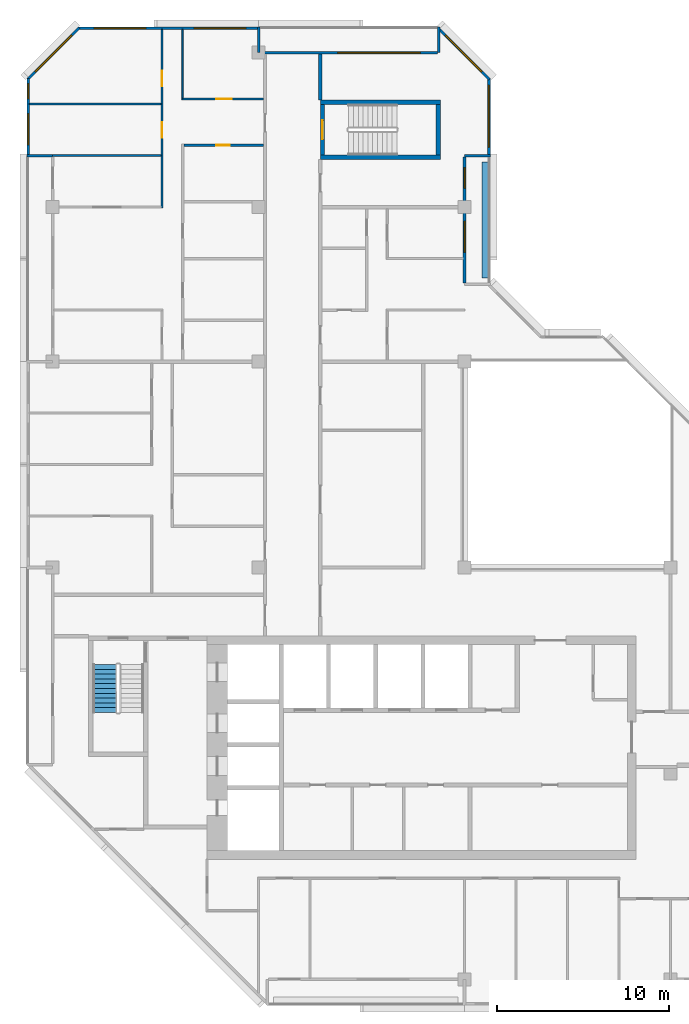
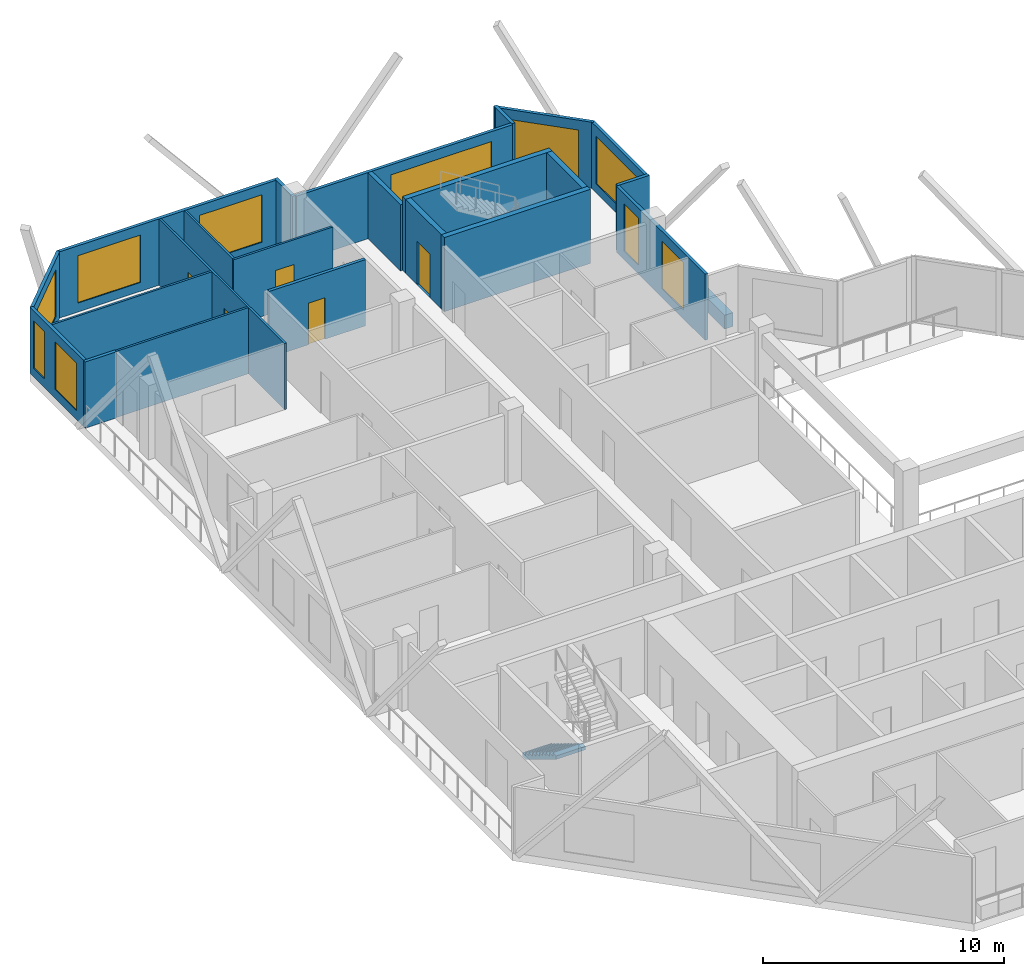
# One storey, part 9 of 12: 23 walls, 10 windows, 5 doors, 1 stair flight, 15 openings, 1 element without a shape of its own.
"""IFC4 building model written with IfcOpenShell, lengths in metres."""

from ifc_helpers import new_model, si_unit, direction, frame, frame_2d, origin, place, context, subcontext, project, spatial, polyline, rectangle, outline, extrude, material, layer, layer_set, type_object, element, fill, aggregate, save


model = new_model("IFC4")

# Units and contexts
model_context = context("Model", 3, precision=1e-05, world=origin(), true_north=direction((0.0, 1.0)))
body_context = subcontext(model_context, "Body", "Model", "MODEL_VIEW")
ifc_project = project(units=[si_unit("LENGTHUNIT", "METRE"), si_unit("AREAUNIT", "SQUARE_METRE"), si_unit("VOLUMEUNIT", "CUBIC_METRE"), si_unit("PLANEANGLEUNIT", "RADIAN"), si_unit("MASSUNIT", "GRAM", prefix="KILO")], contexts=[model_context])

# Site, building, storey
site_placement = place(None, origin())
site = spatial("IfcSite", under=ifc_project, at=site_placement, CompositionType="ELEMENT")
building_placement = place(site_placement, origin())
building = spatial("IfcBuilding", under=site, at=building_placement, Name="Chenar Terraces", CompositionType="ELEMENT")
storey_placement = place(building_placement, frame((0.0, 0.0, 361.39990234375)))
storey = spatial("IfcBuildingStorey", under=building, at=storey_placement, Name="L84", CompositionType="ELEMENT", Elevation=361.39990234375)

# Walls
ifc_material_1 = material(Name="Concrete C50/60", Category="concrete")
ifc_layer_1 = layer(ifc_material_1, 0.25)
ifc_layer_set_1 = layer_set([ifc_layer_1], Name="Concrete C50/60")
wall_type_1 = type_object("IfcWallType", Name="Core wall 250 Concrete C50/60", PredefinedType="SHEAR", material=ifc_layer_set_1)
for number, where, z_axis, x_axis, name in (
    (1, (15.60009765625, 47.89990234375, 0.0), (0.0, 0.0, 1.0), (1.0, 0.0, 0.0), "Core wall ST4_S L84"),
    (2, (15.60009765625, 51.10009765625, 0.0), (0.0, 0.0, 1.0), (1.0, 0.0, 0.0), "Core wall ST4_N L84"),
):
    element("IfcWall", number, at=place(storey_placement, frame(where, z_axis=z_axis, x_axis=x_axis)), inside=storey, type_object=wall_type_1, Name=name, PredefinedType="SHEAR", context=body_context, shape_type="SweptSolid", body=[
        extrude(rectangle(XDim=7.0, YDim=0.25, at=frame_2d((3.5, 0.0))), origin(), (0.0, 0.0, 1.0), 3.75),
    ])

# Wall, opening, door
wall_1_placement = place(storey_placement, frame((15.72509765625, 48.02490234375, 0.0), z_axis=(0.0, 0.0, 1.0), x_axis=(0.0, 1.0, 0.0)))
wall_1 = element("IfcWall", 3, at=wall_1_placement, inside=storey, type_object=wall_type_1, Name="Core wall ST4_W L84", PredefinedType="SHEAR", context=body_context, shape_type="SweptSolid", body=[
    extrude(rectangle(XDim=2.9501953125, YDim=0.25, at=frame_2d((1.47509765625, 0.0))), origin(), (0.0, 0.0, 1.0), 3.75),
])
opening_1_placement = place(wall_1_placement, frame((0.925048828125, 0.0, 0.0)))
opening_1 = element("IfcOpeningElement", 4, at=opening_1_placement, cuts=wall_1, Name="Opening DL84-C9", PredefinedType="OPENING", context=body_context, shape_type="SweptSolid", body=[
    extrude(rectangle(XDim=1.10009765625, YDim=2.199951171875, at=frame_2d((0.550048828125, 1.10009765625))), frame((0.0, 0.135009765625, 0.0), z_axis=(0.0, -1.0, 0.0), x_axis=(1.0, 0.0, 0.0)), (0.0, 0.0, 1.0), 0.27001953125),
])
ifc_material_2 = material(Name="Steel-framed fire-resisting door leaf", Category="steel")
door_type_1 = type_object("IfcDoorType", Name="Stair fire door FD60 1100 x 2200", OperationType="SINGLE_SWING_LEFT", PredefinedType="DOOR", material=ifc_material_2)
door_1_placement = place(opening_1_placement, frame((1.10009765625, 0.0, 0.0), z_axis=(0.0, 0.0, 1.0), x_axis=(-1.0, 0.0, 0.0)))
door_1 = element("IfcDoor", 5, at=door_1_placement, inside=storey, type_object=door_type_1, Name="Stair door DL84-C9", OperationType="SINGLE_SWING_RIGHT", OverallHeight=2.199951171875, OverallWidth=1.10009765625, PredefinedType="DOOR", context=body_context, shape_type="SweptSolid", body=[
    extrude(rectangle(XDim=1.10009765625, YDim=2.199951171875, at=frame_2d((0.550048828125, 1.10009765625))), frame((0.0, 0.02490234375, 0.0), z_axis=(0.0, -1.0, 0.0), x_axis=(1.0, 0.0, 0.0)), (0.0, 0.0, 1.0), 0.050048828125),
])
fill(opening_1, door_1)

# Walls
wall_2_placement = place(storey_placement, frame((22.47509765625, 48.02490234375, 0.0), z_axis=(0.0, 0.0, 1.0), x_axis=(0.0, 1.0, 0.0)))
element("IfcWall", 6, at=wall_2_placement, inside=storey, type_object=wall_type_1, Name="Core wall ST4_E L84", PredefinedType="SHEAR", context=body_context, shape_type="SweptSolid", body=[
    extrude(rectangle(XDim=2.9501953125, YDim=0.25, at=frame_2d((1.47509765625, 0.0))), origin(), (0.0, 0.0, 1.0), 3.75),
])
ifc_material_3 = material(Name="Gypsum board on steel studs with fire boards", Category="steel")
ifc_layer_2 = layer(ifc_material_3, 0.199951171875)
ifc_layer_set_2 = layer_set([ifc_layer_2], Name="Gypsum board on steel studs with fire boards")
wall_type_2 = type_object("IfcWallType", Name="Corridor wall 200", PredefinedType="PARTITIONING", material=ifc_layer_set_2)
wall_3_placement = place(storey_placement, frame((15.60009765625, 51.22509765625, 0.0), z_axis=(0.0, 0.0, 1.0), x_axis=(0.0, 1.0, 0.0)))
element("IfcWall", 7, at=wall_3_placement, inside=storey, type_object=wall_type_2, Name="Partition L84-033", PredefinedType="PARTITIONING", context=body_context, shape_type="SweptSolid", body=[
    extrude(rectangle(XDim=2.700927734375, YDim=0.199951171875, at=frame_2d((1.3505859375, 0.0))), origin(), (0.0, 0.0, 1.0), 3.35009765625),
])

# Wall, opening, window
ifc_material_4 = material(Name="Aluminium framed glazing", Category="aluminium")
ifc_layer_3 = layer(ifc_material_4, 0.14990234375)
ifc_layer_set_3 = layer_set([ifc_layer_3], Name="Aluminium framed glazing")
wall_type_3 = type_object("IfcWallType", Name="Glazed flush facade wall 150", PredefinedType="SOLIDWALL", material=ifc_layer_set_3)
wall_4_placement = place(storey_placement, frame((25.425048828125, 48.074951171875, 0.0), z_axis=(0.0, 0.0, 1.0), x_axis=(0.0, 1.0, 0.0)))
wall_4 = element("IfcWall", 8, at=wall_4_placement, inside=storey, type_object=wall_type_3, Name="Glazed flush facade wall", PredefinedType="SOLIDWALL", context=body_context, shape_type="SweptSolid", body=[
    extrude(rectangle(XDim=4.425048828125, YDim=0.14990234375, at=frame_2d((2.21240234375, 0.0))), origin(), (0.0, 0.0, 1.0), 3.35009765625),
])
opening_2_placement = place(wall_4_placement, frame((0.41259765625, 0.0, 0.449951171875)))
opening_2 = element("IfcOpeningElement", 9, at=opening_2_placement, cuts=wall_4, Name="Opening W360x240", PredefinedType="OPENING", context=body_context, shape_type="SweptSolid", body=[
    extrude(rectangle(XDim=3.60009765625, YDim=2.39990234375, at=frame_2d((1.800048828125, 1.199951171875))), frame((0.0, 0.0849609375, 0.0), z_axis=(0.0, -1.0, 0.0), x_axis=(1.0, 0.0, 0.0)), (0.0, 0.0, 1.0), 0.169921875),
])
ifc_material_5 = material(Name="Low emissivity double glazing, aluminium frame", Category="aluminium")
window_type_1 = type_object("IfcWindowType", Name="Fixed light 3600 x 2400", PartitioningType="SINGLE_PANEL", PredefinedType="WINDOW", material=ifc_material_5)
window_1_placement = place(opening_2_placement, origin())
window_1 = element("IfcWindow", 10, at=window_1_placement, inside=storey, type_object=window_type_1, Name="Window", OverallHeight=2.39990234375, OverallWidth=3.60009765625, PartitioningType="SINGLE_PANEL", PredefinedType="WINDOW", context=body_context, shape_type="SweptSolid", body=[
    extrude(rectangle(XDim=3.60009765625, YDim=2.39990234375, at=frame_2d((1.800048828125, 1.199951171875))), frame((0.0, 0.030029296875, 0.0), z_axis=(0.0, -1.0, 0.0), x_axis=(1.0, 0.0, 0.0)), (0.0, 0.0, 1.0), 0.06005859375),
])
fill(opening_2, window_1)

# Wall, openings, windows
wall_5_placement = place(storey_placement, frame((11.925048828125, 55.425048828125, 0.0), z_axis=(0.0, 0.0, 1.0), x_axis=(-1.0, 0.0, 0.0)))
wall_5 = element("IfcWall", 11, at=wall_5_placement, inside=storey, type_object=wall_type_3, Name="Glazed flush facade wall", PredefinedType="SOLIDWALL", context=body_context, shape_type="SweptSolid", body=[
    extrude(rectangle(XDim=10.425048828125, YDim=0.14990234375, at=frame_2d((5.21240234375, 0.0))), origin(), (0.0, 0.0, 1.0), 3.35009765625),
])
opening_3_placement = place(wall_5_placement, frame((0.675048828125, 0.0, 0.449951171875)))
opening_3 = element("IfcOpeningElement", 12, at=opening_3_placement, cuts=wall_5, Name="Opening W300x240", PredefinedType="OPENING", context=body_context, shape_type="SweptSolid", body=[
    extrude(rectangle(XDim=3.0, YDim=2.39990234375, at=frame_2d((1.5, 1.199951171875))), frame((0.0, 0.0849609375, 0.0), z_axis=(0.0, -1.0, 0.0), x_axis=(1.0, 0.0, 0.0)), (0.0, 0.0, 1.0), 0.169921875),
])
opening_4_placement = place(wall_5_placement, frame((6.487548828125, 0.0, 0.449951171875)))
opening_4 = element("IfcOpeningElement", 13, at=opening_4_placement, cuts=wall_5, Name="Opening W300x240", PredefinedType="OPENING", context=body_context, shape_type="SweptSolid", body=[
    extrude(rectangle(XDim=3.0, YDim=2.39990234375, at=frame_2d((1.5, 1.199951171875))), frame((0.0, 0.0849609375, 0.0), z_axis=(0.0, -1.0, 0.0), x_axis=(1.0, 0.0, 0.0)), (0.0, 0.0, 1.0), 0.169921875),
])
ifc_material_6 = material(Name="Low emissivity double glazing, aluminium frame", Category="aluminium")
window_type_2 = type_object("IfcWindowType", Name="Fixed light 3000 x 2400", PartitioningType="SINGLE_PANEL", PredefinedType="WINDOW", material=ifc_material_6)
window_2_placement = place(opening_3_placement, origin())
window_2 = element("IfcWindow", 14, at=window_2_placement, inside=storey, type_object=window_type_2, Name="Window", OverallHeight=2.39990234375, OverallWidth=3.0, PartitioningType="SINGLE_PANEL", PredefinedType="WINDOW", context=body_context, shape_type="SweptSolid", body=[
    extrude(rectangle(XDim=3.0, YDim=2.39990234375, at=frame_2d((1.5, 1.199951171875))), frame((0.0, 0.030029296875, 0.0), z_axis=(0.0, -1.0, 0.0), x_axis=(1.0, 0.0, 0.0)), (0.0, 0.0, 1.0), 0.06005859375),
])
fill(opening_3, window_2)
window_3_placement = place(opening_4_placement, origin())
window_3 = element("IfcWindow", 15, at=window_3_placement, inside=storey, type_object=window_type_2, Name="Window", OverallHeight=2.39990234375, OverallWidth=3.0, PartitioningType="SINGLE_PANEL", PredefinedType="WINDOW", context=body_context, shape_type="SweptSolid", body=[
    extrude(rectangle(XDim=3.0, YDim=2.39990234375, at=frame_2d((1.5, 1.199951171875))), frame((0.0, 0.030029296875, 0.0), z_axis=(0.0, -1.0, 0.0), x_axis=(1.0, 0.0, 0.0)), (0.0, 0.0, 1.0), 0.06005859375),
])
fill(opening_4, window_3)

wall_6_placement = place(storey_placement, frame((-1.425048828125, 52.5, 0.0), z_axis=(0.0, 0.0, 1.0), x_axis=(0.0, -1.0, 0.0)))
wall_6 = element("IfcWall", 16, at=wall_6_placement, inside=storey, type_object=wall_type_3, Name="Glazed flush facade wall", PredefinedType="SOLIDWALL", context=body_context, shape_type="SweptSolid", body=[
    extrude(rectangle(XDim=4.425048828125, YDim=0.14990234375, at=frame_2d((2.21240234375, 0.0))), origin(), (0.0, 0.0, 1.0), 3.35009765625),
])
opening_5_placement = place(wall_6_placement, frame((0.300048828125, 0.0, 0.449951171875)))
opening_5 = element("IfcOpeningElement", 17, at=opening_5_placement, cuts=wall_6, Name="Opening W90x240", PredefinedType="OPENING", context=body_context, shape_type="SweptSolid", body=[
    extrude(rectangle(XDim=0.89990234375, YDim=2.39990234375, at=frame_2d((0.449951171875, 1.199951171875))), frame((0.0, 0.0849609375, 0.0), z_axis=(0.0, -1.0, 0.0), x_axis=(1.0, 0.0, 0.0)), (0.0, 0.0, 1.0), 0.169921875),
])
opening_6_placement = place(wall_6_placement, frame((2.0625, 0.0, 0.449951171875)))
opening_6 = element("IfcOpeningElement", 18, at=opening_6_placement, cuts=wall_6, Name="Opening W180x240", PredefinedType="OPENING", context=body_context, shape_type="SweptSolid", body=[
    extrude(rectangle(XDim=1.800048828125, YDim=2.39990234375, at=frame_2d((0.89990234375, 1.199951171875))), frame((0.0, 0.0849609375, 0.0), z_axis=(0.0, -1.0, 0.0), x_axis=(1.0, 0.0, 0.0)), (0.0, 0.0, 1.0), 0.169921875),
])
ifc_material_7 = material(Name="Low emissivity double glazing, aluminium frame", Category="aluminium")
window_type_3 = type_object("IfcWindowType", Name="Fixed light 1800 x 2400", PartitioningType="SINGLE_PANEL", PredefinedType="WINDOW", material=ifc_material_7)
window_4_placement = place(opening_6_placement, origin())
window_4 = element("IfcWindow", 19, at=window_4_placement, inside=storey, type_object=window_type_3, Name="Window", OverallHeight=2.39990234375, OverallWidth=1.800048828125, PartitioningType="SINGLE_PANEL", PredefinedType="WINDOW", context=body_context, shape_type="SweptSolid", body=[
    extrude(rectangle(XDim=1.800048828125, YDim=2.39990234375, at=frame_2d((0.89990234375, 1.199951171875))), frame((0.0, 0.030029296875, 0.0), z_axis=(0.0, -1.0, 0.0), x_axis=(1.0, 0.0, 0.0)), (0.0, 0.0, 1.0), 0.06005859375),
])
fill(opening_6, window_4)
ifc_material_8 = material(Name="Low emissivity double glazing, aluminium frame", Category="aluminium")
window_type_4 = type_object("IfcWindowType", Name="Fixed light 900 x 2400", PartitioningType="SINGLE_PANEL", PredefinedType="WINDOW", material=ifc_material_8)
window_5_placement = place(opening_5_placement, origin())
window_5 = element("IfcWindow", 20, at=window_5_placement, inside=storey, type_object=window_type_4, Name="Window", OverallHeight=2.39990234375, OverallWidth=0.89990234375, PartitioningType="SINGLE_PANEL", PredefinedType="WINDOW", context=body_context, shape_type="SweptSolid", body=[
    extrude(rectangle(XDim=0.89990234375, YDim=2.39990234375, at=frame_2d((0.449951171875, 1.199951171875))), frame((0.0, 0.030029296875, 0.0), z_axis=(0.0, -1.0, 0.0), x_axis=(1.0, 0.0, 0.0)), (0.0, 0.0, 1.0), 0.06005859375),
])
fill(opening_5, window_5)

ifc_material_9 = material(Name="Aluminium framed glazing", Category="aluminium")
ifc_layer_4 = layer(ifc_material_9, 0.14990234375)
ifc_layer_set_4 = layer_set([ifc_layer_4], Name="Aluminium framed glazing")
wall_type_4 = type_object("IfcWallType", Name="Glazed loggia back wall 150", PredefinedType="SOLIDWALL", material=ifc_layer_set_4)
wall_7_placement = place(storey_placement, frame((24.0, 40.574951171875, 0.0), z_axis=(0.0, 0.0, 1.0), x_axis=(0.0, 1.0, 0.0)))
wall_7 = element("IfcWall", 21, at=wall_7_placement, inside=storey, type_object=wall_type_4, Name="Glazed loggia back wall", PredefinedType="SOLIDWALL", context=body_context, shape_type="SweptSolid", body=[
    extrude(rectangle(XDim=7.35009765625, YDim=0.14990234375, at=frame_2d((3.675048828125, 0.0))), origin(), (0.0, 0.0, 1.0), 3.35009765625),
])
opening_7_placement = place(wall_7_placement, frame((1.78759765625, 0.0, 0.449951171875)))
opening_7 = element("IfcOpeningElement", 22, at=opening_7_placement, cuts=wall_7, Name="Opening W180x240", PredefinedType="OPENING", context=body_context, shape_type="SweptSolid", body=[
    extrude(rectangle(XDim=1.800048828125, YDim=2.39990234375, at=frame_2d((0.89990234375, 1.199951171875))), frame((0.0, 0.0849609375, 0.0), z_axis=(0.0, -1.0, 0.0), x_axis=(1.0, 0.0, 0.0)), (0.0, 0.0, 1.0), 0.169921875),
])
opening_8_placement = place(wall_7_placement, frame((5.52490234375, 0.0, 0.449951171875)))
opening_8 = element("IfcOpeningElement", 23, at=opening_8_placement, cuts=wall_7, Name="Opening W120x240", PredefinedType="OPENING", context=body_context, shape_type="SweptSolid", body=[
    extrude(rectangle(XDim=1.199951171875, YDim=2.39990234375, at=frame_2d((0.60009765625, 1.199951171875))), frame((0.0, 0.0849609375, 0.0), z_axis=(0.0, -1.0, 0.0), x_axis=(1.0, 0.0, 0.0)), (0.0, 0.0, 1.0), 0.169921875),
])
ifc_material_10 = material(Name="Low emissivity double glazing, aluminium frame", Category="aluminium")
window_type_5 = type_object("IfcWindowType", Name="Fixed light 1200 x 2400", PartitioningType="SINGLE_PANEL", PredefinedType="WINDOW", material=ifc_material_10)
window_6_placement = place(opening_8_placement, origin())
window_6 = element("IfcWindow", 24, at=window_6_placement, inside=storey, type_object=window_type_5, Name="Window", OverallHeight=2.39990234375, OverallWidth=1.199951171875, PartitioningType="SINGLE_PANEL", PredefinedType="WINDOW", context=body_context, shape_type="SweptSolid", body=[
    extrude(rectangle(XDim=1.199951171875, YDim=2.39990234375, at=frame_2d((0.60009765625, 1.199951171875))), frame((0.0, 0.030029296875, 0.0), z_axis=(0.0, -1.0, 0.0), x_axis=(1.0, 0.0, 0.0)), (0.0, 0.0, 1.0), 0.06005859375),
])
fill(opening_8, window_6)
window_7_placement = place(opening_7_placement, origin())
window_7 = element("IfcWindow", 25, at=window_7_placement, inside=storey, type_object=window_type_3, Name="Window", OverallHeight=2.39990234375, OverallWidth=1.800048828125, PartitioningType="SINGLE_PANEL", PredefinedType="WINDOW", context=body_context, shape_type="SweptSolid", body=[
    extrude(rectangle(XDim=1.800048828125, YDim=2.39990234375, at=frame_2d((0.89990234375, 1.199951171875))), frame((0.0, 0.030029296875, 0.0), z_axis=(0.0, -1.0, 0.0), x_axis=(1.0, 0.0, 0.0)), (0.0, 0.0, 1.0), 0.06005859375),
])
fill(opening_7, window_7)

# Wall, opening, window
wall_8_placement = place(storey_placement, frame((22.425048828125, 54.0, 0.0), z_axis=(0.0, 0.0, 1.0), x_axis=(-1.0, 0.0, 0.0)))
wall_8 = element("IfcWall", 26, at=wall_8_placement, inside=storey, type_object=wall_type_4, Name="Glazed loggia back wall", PredefinedType="SOLIDWALL", context=body_context, shape_type="SweptSolid", body=[
    extrude(rectangle(XDim=10.35009765625, YDim=0.14990234375, at=frame_2d((5.175048828125, 0.0))), origin(), (0.0, 0.0, 1.0), 3.35009765625),
])
opening_9_placement = place(wall_8_placement, frame((1.012451171875, 0.0, 0.449951171875)))
opening_9 = element("IfcOpeningElement", 27, at=opening_9_placement, cuts=wall_8, Name="Opening W480x240", PredefinedType="OPENING", context=body_context, shape_type="SweptSolid", body=[
    extrude(rectangle(XDim=4.800048828125, YDim=2.39990234375, at=frame_2d((2.39990234375, 1.199951171875))), frame((0.0, 0.0849609375, 0.0), z_axis=(0.0, -1.0, 0.0), x_axis=(1.0, 0.0, 0.0)), (0.0, 0.0, 1.0), 0.169921875),
])
ifc_material_11 = material(Name="Low emissivity double glazing, aluminium frame", Category="aluminium")
window_type_6 = type_object("IfcWindowType", Name="Fixed light 4800 x 2400", PartitioningType="SINGLE_PANEL", PredefinedType="WINDOW", material=ifc_material_11)
window_8_placement = place(opening_9_placement, origin())
window_8 = element("IfcWindow", 28, at=window_8_placement, inside=storey, type_object=window_type_6, Name="Window", OverallHeight=2.39990234375, OverallWidth=4.800048828125, PartitioningType="SINGLE_PANEL", PredefinedType="WINDOW", context=body_context, shape_type="SweptSolid", body=[
    extrude(rectangle(XDim=4.800048828125, YDim=2.39990234375, at=frame_2d((2.39990234375, 1.199951171875))), frame((0.0, 0.030029296875, 0.0), z_axis=(0.0, -1.0, 0.0), x_axis=(1.0, 0.0, 0.0)), (0.0, 0.0, 1.0), 0.06005859375),
])
fill(opening_9, window_8)

# Walls
ifc_material_12 = material(Name="Gypsum board on steel studs", Category="steel")
ifc_layer_5 = layer(ifc_material_12, 0.10009765625)
ifc_layer_set_5 = layer_set([ifc_layer_5], Name="Gypsum board on steel studs")
wall_type_5 = type_object("IfcWallType", Name="Gypsum partition 100", PredefinedType="PARTITIONING", material=ifc_layer_set_5)
wall_9_placement = place(storey_placement, frame((0.0, 48.0, 0.0), z_axis=(0.0, 0.0, 1.0), x_axis=(1.0, 0.0, 0.0)))
element("IfcWall", 29, at=wall_9_placement, inside=storey, type_object=wall_type_5, Name="Partition L84-005", PredefinedType="PARTITIONING", context=body_context, shape_type="SweptSolid", body=[
    extrude(rectangle(XDim=6.324951171875, YDim=0.10009765625, at=frame_2d((3.16259765625, 0.0))), origin(), (0.0, 0.0, 1.0), 3.35009765625),
])
wall_10_placement = place(storey_placement, frame((-1.35009765625, 51.0, 0.0), z_axis=(0.0, 0.0, 1.0), x_axis=(1.0, 0.0, 0.0)))
element("IfcWall", 30, at=wall_10_placement, inside=storey, type_object=wall_type_5, Name="Partition L84-006", PredefinedType="PARTITIONING", context=body_context, shape_type="SweptSolid", body=[
    extrude(rectangle(XDim=7.675048828125, YDim=0.10009765625, at=frame_2d((3.83740234375, 0.0))), origin(), (0.0, 0.0, 1.0), 3.35009765625),
])

# Wall, openings, doors
wall_11_placement = place(storey_placement, frame((6.375, 44.949951171875, 0.0), z_axis=(0.0, 0.0, 1.0), x_axis=(0.0, 1.0, 0.0)))
wall_11 = element("IfcWall", 31, at=wall_11_placement, inside=storey, type_object=wall_type_5, Name="Partition L84-015", PredefinedType="PARTITIONING", context=body_context, shape_type="SweptSolid", body=[
    extrude(rectangle(XDim=10.400146484375, YDim=0.10009765625, at=frame_2d((5.2001953125, 0.0))), origin(), (0.0, 0.0, 1.0), 3.35009765625),
])
opening_10_placement = place(wall_11_placement, frame((7.10009765625, 0.0, 0.0)))
opening_10 = element("IfcOpeningElement", 32, at=opening_10_placement, cuts=wall_11, Name="Opening DL84-11", PredefinedType="OPENING", context=body_context, shape_type="SweptSolid", body=[
    extrude(rectangle(XDim=0.89990234375, YDim=2.10009765625, at=frame_2d((0.449951171875, 1.050048828125))), frame((0.0, 0.06005859375, 0.0), z_axis=(0.0, -1.0, 0.0), x_axis=(1.0, 0.0, 0.0)), (0.0, 0.0, 1.0), 0.1201171875),
])
opening_11_placement = place(wall_11_placement, frame((4.10009765625, 0.0, 0.0)))
opening_11 = element("IfcOpeningElement", 33, at=opening_11_placement, cuts=wall_11, Name="Opening DL84-16", PredefinedType="OPENING", context=body_context, shape_type="SweptSolid", body=[
    extrude(rectangle(XDim=0.89990234375, YDim=2.10009765625, at=frame_2d((0.449951171875, 1.050048828125))), frame((0.0, 0.06005859375, 0.0), z_axis=(0.0, -1.0, 0.0), x_axis=(1.0, 0.0, 0.0)), (0.0, 0.0, 1.0), 0.1201171875),
])
ifc_material_13 = material(Name="Veneered timber door leaf", Category="wood")
door_type_2 = type_object("IfcDoorType", Name="Door 900 x 2100", OperationType="SINGLE_SWING_LEFT", PredefinedType="DOOR", material=ifc_material_13)
door_2_placement = place(opening_10_placement, origin())
door_2 = element("IfcDoor", 34, at=door_2_placement, inside=storey, type_object=door_type_2, Name="Door DL84-11", OperationType="SINGLE_SWING_LEFT", OverallHeight=2.10009765625, OverallWidth=0.89990234375, PredefinedType="DOOR", context=body_context, shape_type="SweptSolid", body=[
    extrude(rectangle(XDim=0.89990234375, YDim=2.10009765625, at=frame_2d((0.449951171875, 1.050048828125))), frame((0.0, 0.02490234375, 0.0), z_axis=(0.0, -1.0, 0.0), x_axis=(1.0, 0.0, 0.0)), (0.0, 0.0, 1.0), 0.050048828125),
])
fill(opening_10, door_2)
door_3_placement = place(opening_11_placement, origin())
door_3 = element("IfcDoor", 35, at=door_3_placement, inside=storey, type_object=door_type_2, Name="Door DL84-16", OperationType="SINGLE_SWING_LEFT", OverallHeight=2.10009765625, OverallWidth=0.89990234375, PredefinedType="DOOR", context=body_context, shape_type="SweptSolid", body=[
    extrude(rectangle(XDim=0.89990234375, YDim=2.10009765625, at=frame_2d((0.449951171875, 1.050048828125))), frame((0.0, 0.02490234375, 0.0), z_axis=(0.0, -1.0, 0.0), x_axis=(1.0, 0.0, 0.0)), (0.0, 0.0, 1.0), 0.050048828125),
])
fill(opening_11, door_3)

# Wall, opening, door
wall_12_placement = place(storey_placement, frame((7.52490234375, 51.300048828125, 0.0), z_axis=(0.0, 0.0, 1.0), x_axis=(1.0, 0.0, 0.0)))
wall_12 = element("IfcWall", 36, at=wall_12_placement, inside=storey, type_object=wall_type_5, Name="Partition L84-019", PredefinedType="PARTITIONING", context=body_context, shape_type="SweptSolid", body=[
    extrude(rectangle(XDim=4.75, YDim=0.10009765625, at=frame_2d((2.375, 0.0))), origin(), (0.0, 0.0, 1.0), 3.35009765625),
])
opening_12_placement = place(wall_12_placement, frame((2.0, 0.0, 0.0)))
opening_12 = element("IfcOpeningElement", 37, at=opening_12_placement, cuts=wall_12, Name="Opening DL84-12", PredefinedType="OPENING", context=body_context, shape_type="SweptSolid", body=[
    extrude(rectangle(XDim=0.89990234375, YDim=2.10009765625, at=frame_2d((0.449951171875, 1.050048828125))), frame((0.0, 0.06005859375, 0.0), z_axis=(0.0, -1.0, 0.0), x_axis=(1.0, 0.0, 0.0)), (0.0, 0.0, 1.0), 0.1201171875),
])
door_4_placement = place(opening_12_placement, origin())
door_4 = element("IfcDoor", 38, at=door_4_placement, inside=storey, type_object=door_type_2, Name="Door DL84-12", OperationType="SINGLE_SWING_RIGHT", OverallHeight=2.10009765625, OverallWidth=0.89990234375, PredefinedType="DOOR", context=body_context, shape_type="SweptSolid", body=[
    extrude(rectangle(XDim=0.89990234375, YDim=2.10009765625, at=frame_2d((0.449951171875, 1.050048828125))), frame((0.0, 0.02490234375, 0.0), z_axis=(0.0, -1.0, 0.0), x_axis=(1.0, 0.0, 0.0)), (0.0, 0.0, 1.0), 0.050048828125),
])
fill(opening_12, door_4)

# Walls
wall_13_placement = place(storey_placement, frame((7.574951171875, 51.35009765625, 0.0), z_axis=(0.0, 0.0, 1.0), x_axis=(0.0, 1.0, 0.0)))
element("IfcWall", 39, at=wall_13_placement, inside=storey, type_object=wall_type_5, Name="Partition L84-021", PredefinedType="PARTITIONING", context=body_context, shape_type="SweptSolid", body=[
    extrude(rectangle(XDim=4.0, YDim=0.10009765625, at=frame_2d((2.0, 0.0))), origin(), (0.0, 0.0, 1.0), 3.35009765625),
])
ifc_material_14 = material(Name="Terracotta cladding on insulated backing", Category="masonry")
ifc_layer_6 = layer(ifc_material_14, 0.14990234375)
ifc_layer_set_6 = layer_set([ifc_layer_6], Name="Terracotta cladding on insulated backing")
wall_type_6 = type_object("IfcWallType", Name="Loggia return wall 150", PredefinedType="SOLIDWALL", material=ifc_layer_set_6)
for number, where, z_axis, x_axis, name in (
    (40, (25.5, 48.0, 0.0), (0.0, 0.0, 1.0), (-1.0, 0.0, 0.0), "Loggia return wall"),
    (41, (22.5, 55.5, 0.0), (0.0, 0.0, 1.0), (0.0, -1.0, 0.0), "Loggia return wall"),
    (42, (12.0, 55.5, 0.0), (0.0, 0.0, 1.0), (0.0, -1.0, 0.0), "Loggia return wall"),
    (43, (-1.5, 48.0, 0.0), (0.0, 0.0, 1.0), (1.0, 0.0, 0.0), "Loggia return wall"),
):
    element("IfcWall", number, at=place(storey_placement, frame(where, z_axis=z_axis, x_axis=x_axis)), inside=storey, type_object=wall_type_6, Name=name, PredefinedType="SOLIDWALL", context=body_context, shape_type="SweptSolid", body=[
        extrude(rectangle(XDim=1.5, YDim=0.14990234375, at=frame_2d((0.75, 0.0))), origin(), (0.0, 0.0, 1.0), 3.35009765625),
    ])

# Wall, opening, window
ifc_material_15 = material(Name="Terracotta cladding on insulated backing", Category="masonry")
ifc_layer_7 = layer(ifc_material_15, 0.14990234375)
ifc_layer_set_7 = layer_set([ifc_layer_7], Name="Terracotta cladding on insulated backing")
wall_type_7 = type_object("IfcWallType", Name="Terracotta rainscreen wall 150", PredefinedType="SOLIDWALL", material=ifc_layer_set_7)
wall_14_placement = place(storey_placement, frame((25.447021484375, 52.447021484375, 0.0), z_axis=(0.0, 0.0, 1.0), x_axis=(-0.707106781187, 0.707106781187, 0.0)))
wall_14 = element("IfcWall", 44, at=wall_14_placement, inside=storey, type_object=wall_type_7, Name="Terracotta rainscreen wall", PredefinedType="SOLIDWALL", context=body_context, shape_type="SweptSolid", body=[
    extrude(rectangle(XDim=4.24267578125, YDim=0.14990234375, at=frame_2d((2.121337890625, 0.0))), origin(), (0.0, 0.0, 1.0), 3.35009765625),
])
opening_13_placement = place(wall_14_placement, frame((0.621337890625, 0.0, 0.449951171875)))
opening_13 = element("IfcOpeningElement", 45, at=opening_13_placement, cuts=wall_14, Name="Opening W300x240", PredefinedType="OPENING", context=body_context, shape_type="SweptSolid", body=[
    extrude(rectangle(XDim=3.0, YDim=2.39990234375, at=frame_2d((1.5, 1.199951171875))), frame((0.0, 0.0849609375, 0.0), z_axis=(0.0, -1.0, 0.0), x_axis=(1.0, 0.0, 0.0)), (0.0, 0.0, 1.0), 0.169921875),
])
window_9_placement = place(opening_13_placement, origin())
window_9 = element("IfcWindow", 46, at=window_9_placement, inside=storey, type_object=window_type_2, Name="Window", OverallHeight=2.39990234375, OverallWidth=3.0, PartitioningType="SINGLE_PANEL", PredefinedType="WINDOW", context=body_context, shape_type="SweptSolid", body=[
    extrude(rectangle(XDim=3.0, YDim=2.39990234375, at=frame_2d((1.5, 1.199951171875))), frame((0.0, 0.030029296875, 0.0), z_axis=(0.0, -1.0, 0.0), x_axis=(1.0, 0.0, 0.0)), (0.0, 0.0, 1.0), 0.06005859375),
])
fill(opening_13, window_9)

wall_15_placement = place(storey_placement, frame((1.552978515625, 55.447021484375, 0.0), z_axis=(0.0, 0.0, 1.0), x_axis=(-0.707106781187, -0.707106781187, 0.0)))
wall_15 = element("IfcWall", 47, at=wall_15_placement, inside=storey, type_object=wall_type_7, Name="Terracotta rainscreen wall", PredefinedType="SOLIDWALL", context=body_context, shape_type="SweptSolid", body=[
    extrude(rectangle(XDim=4.24267578125, YDim=0.14990234375, at=frame_2d((2.121337890625, 0.0))), origin(), (0.0, 0.0, 1.0), 3.35009765625),
])
opening_14_placement = place(wall_15_placement, frame((0.621337890625, 0.0, 0.449951171875)))
opening_14 = element("IfcOpeningElement", 48, at=opening_14_placement, cuts=wall_15, Name="Opening W300x240", PredefinedType="OPENING", context=body_context, shape_type="SweptSolid", body=[
    extrude(rectangle(XDim=3.0, YDim=2.39990234375, at=frame_2d((1.5, 1.199951171875))), frame((0.0, 0.0849609375, 0.0), z_axis=(0.0, -1.0, 0.0), x_axis=(1.0, 0.0, 0.0)), (0.0, 0.0, 1.0), 0.169921875),
])
window_10_placement = place(opening_14_placement, origin())
window_10 = element("IfcWindow", 49, at=window_10_placement, inside=storey, type_object=window_type_2, Name="Window", OverallHeight=2.39990234375, OverallWidth=3.0, PartitioningType="SINGLE_PANEL", PredefinedType="WINDOW", context=body_context, shape_type="SweptSolid", body=[
    extrude(rectangle(XDim=3.0, YDim=2.39990234375, at=frame_2d((1.5, 1.199951171875))), frame((0.0, 0.030029296875, 0.0), z_axis=(0.0, -1.0, 0.0), x_axis=(1.0, 0.0, 0.0)), (0.0, 0.0, 1.0), 0.06005859375),
])
fill(opening_14, window_10)

# Wall
ifc_material_16 = material(Name="GRP planter trough")
ifc_layer_8 = layer(ifc_material_16, 0.39990234375)
ifc_layer_set_8 = layer_set([ifc_layer_8], Name="GRP planter trough")
wall_type_8 = type_object("IfcWallType", Name="Vertical greenery planter 400", PredefinedType="SOLIDWALL", material=ifc_layer_set_8)
wall_16_placement = place(storey_placement, frame((25.22900390625, 40.875, 0.0), z_axis=(0.0, 0.0, 1.0), x_axis=(0.0, 1.0, 0.0)))
element("IfcWall", 50, at=wall_16_placement, inside=storey, type_object=wall_type_8, Name="Vertical greenery planter", PredefinedType="SOLIDWALL", context=body_context, shape_type="SweptSolid", body=[
    extrude(rectangle(XDim=6.75, YDim=0.39990234375, at=frame_2d((3.375, 0.0))), origin(), (0.0, 0.0, 1.0), 0.7001953125),
])

# Wall, opening, door
ifc_material_17 = material(Name="Moisture-resistant gypsum board on steel studs", Category="steel")
ifc_layer_9 = layer(ifc_material_17, 0.14990234375)
ifc_layer_set_9 = layer_set([ifc_layer_9], Name="Moisture-resistant gypsum board on steel studs")
wall_type_9 = type_object("IfcWallType", Name="Wet-room partition 150", PredefinedType="PARTITIONING", material=ifc_layer_set_9)
wall_17_placement = place(storey_placement, frame((7.64990234375, 48.60009765625, 0.0), z_axis=(0.0, 0.0, 1.0), x_axis=(1.0, 0.0, 0.0)))
wall_17 = element("IfcWall", 51, at=wall_17_placement, inside=storey, type_object=wall_type_9, Name="Partition L84-025", PredefinedType="PARTITIONING", context=body_context, shape_type="SweptSolid", body=[
    extrude(rectangle(XDim=4.625, YDim=0.14990234375, at=frame_2d((2.3125, 0.0))), origin(), (0.0, 0.0, 1.0), 3.35009765625),
])
opening_15_placement = place(wall_17_placement, frame((1.875, 0.0, 0.0)))
opening_15 = element("IfcOpeningElement", 52, at=opening_15_placement, cuts=wall_17, Name="Opening DL84-9", PredefinedType="OPENING", context=body_context, shape_type="SweptSolid", body=[
    extrude(rectangle(XDim=0.800048828125, YDim=2.10009765625, at=frame_2d((0.39990234375, 1.050048828125))), frame((0.0, 0.0849609375, 0.0), z_axis=(0.0, -1.0, 0.0), x_axis=(1.0, 0.0, 0.0)), (0.0, 0.0, 1.0), 0.169921875),
])
ifc_material_18 = material(Name="Veneered timber door leaf", Category="wood")
door_type_3 = type_object("IfcDoorType", Name="Door 800 x 2100", OperationType="SINGLE_SWING_LEFT", PredefinedType="DOOR", material=ifc_material_18)
door_5_placement = place(opening_15_placement, frame((0.800048828125, 0.0, 0.0), z_axis=(0.0, 0.0, 1.0), x_axis=(-1.0, 0.0, 0.0)))
door_5 = element("IfcDoor", 53, at=door_5_placement, inside=storey, type_object=door_type_3, Name="Door DL84-9", OperationType="SINGLE_SWING_RIGHT", OverallHeight=2.10009765625, OverallWidth=0.800048828125, PredefinedType="DOOR", context=body_context, shape_type="SweptSolid", body=[
    extrude(rectangle(XDim=0.800048828125, YDim=2.10009765625, at=frame_2d((0.39990234375, 1.050048828125))), frame((0.0, 0.02490234375, 0.0), z_axis=(0.0, -1.0, 0.0), x_axis=(1.0, 0.0, 0.0)), (0.0, 0.0, 1.0), 0.050048828125),
])
fill(opening_15, door_5)

# Stair, stair flight
ifc_material_19 = material(Name="Reinforced concrete C40/50", Category="concrete")
stair_type = type_object("IfcStairType", Name="Core stair 1400 half-turn", PredefinedType="HALF_TURN_STAIR", material=ifc_material_19)
stair_placement = place(storey_placement, origin())
stair = element("IfcStair", 54, at=stair_placement, inside=storey, type_object=stair_type, Name="L84 Stair 1", PredefinedType="HALF_TURN_STAIR")
ifc_material_20 = material(Name="Reinforced concrete C40/50", Category="concrete")
stair_flight_type = type_object("IfcStairFlightType", Name="Core stair flight 1400", PredefinedType="STRAIGHT", material=ifc_material_20)
stair_flight_placement = place(storey_placement, frame((3.050048828125, 18.35009765625, 0.0), z_axis=(0.0, 0.0, 1.0), x_axis=(0.0, -1.0, 0.0)))
stair_flight = element("IfcStairFlight", 55, at=stair_flight_placement, type_object=stair_flight_type, Name="ST1 flight 1", NumberOfRisers=11, NumberOfTreads=10, PredefinedType="STRAIGHT", RiserHeight=0.170454545, TreadLength=0.28, context=body_context, shape_type="SweptSolid", body=[
    extrude(outline(polyline([(-0.0029296875, 0.0), (-0.0029296875, 0.17041015625), (0.0, 0.17041015625), (0.280029296875, 0.17041015625), (0.280029296875, 0.3408203125), (0.56005859375, 0.3408203125), (0.56005859375, 0.511474609375), (0.840087890625, 0.511474609375), (0.840087890625, 0.681884765625), (1.1201171875, 0.681884765625), (1.1201171875, 0.852294921875), (1.39990234375, 0.852294921875), (1.39990234375, 1.022705078125), (1.679931640625, 1.022705078125), (1.679931640625, 1.193115234375), (1.9599609375, 1.193115234375), (1.9599609375, 1.363525390625), (2.239990234375, 1.363525390625), (2.239990234375, 1.5341796875), (2.52001953125, 1.5341796875), (2.52001953125, 1.70458984375), (2.800048828125, 1.70458984375), (2.802978515625, 1.70458984375), (2.802978515625, 1.529052734375), (2.800048828125, 1.529052734375), (0.288330078125, 0.0), (-0.0029296875, 0.0)])), frame((0.0, 0.699951171875, 0.0), z_axis=(0.0, -1.0, 0.0), x_axis=(1.0, 0.0, 0.0)), (0.0, 0.0, 1.0), 1.39990234375),
])
aggregate(stair, [stair_flight])

save(model, "model.ifc")
